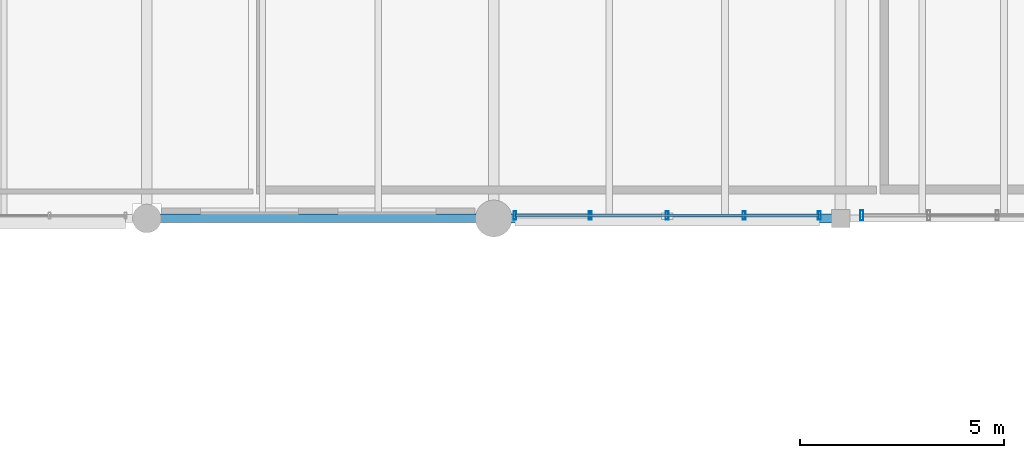
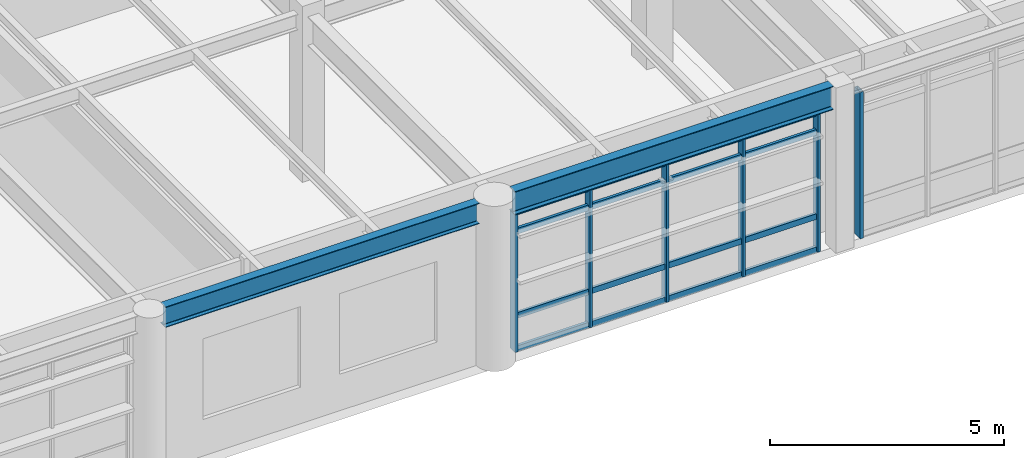
# One storey, part 113 of 168: 10 members, 2 beams, 2 elements without a shape of their own.
"""IFC4 building model written with IfcOpenShell, lengths in metres."""

from ifc_helpers import new_model, si_unit, direction, frame, origin, origin_2d, place, context, subcontext, project, spatial, hollow_rectangle, i_section, extrude, material, material_profile, profile_set, type_object, element, aggregate, save


model = new_model("IFC4")

# Units and contexts
model_context = context("Model", 3, precision=1e-05, world=origin(), true_north=direction((0.0, 1.0)))
body_context = subcontext(model_context, "Body", "Model", "MODEL_VIEW")
ifc_project = project(units=[si_unit("LENGTHUNIT", "METRE"), si_unit("AREAUNIT", "SQUARE_METRE"), si_unit("VOLUMEUNIT", "CUBIC_METRE"), si_unit("PLANEANGLEUNIT", "RADIAN"), si_unit("MASSUNIT", "GRAM", prefix="KILO"), si_unit("THERMODYNAMICTEMPERATUREUNIT", "KELVIN"), si_unit("POWERUNIT", "WATT")], contexts=[model_context])

# Site, building, storey
site_placement = place(None, origin())
site = spatial("IfcSite", under=ifc_project, at=site_placement, CompositionType="ELEMENT")
building_placement = place(site_placement, origin())
building = spatial("IfcBuilding", under=site, at=building_placement, Name="Tepalcoro Natatorium and Aquatics Centre", CompositionType="ELEMENT")
storey_placement = place(building_placement, frame((0.0, 0.0, 10.199951171875)))
storey = spatial("IfcBuildingStorey", under=building, at=storey_placement, Name="L02", CompositionType="ELEMENT", Elevation=10.199951171875)

# Curtain wall, members
ifc_material_1 = material(Name="Bronze-Anodised Extruded Aluminium Alloy EN AW-6063 T6", Category="aluminium")
curtain_wall_type_1 = type_object("IfcCurtainWallType", Name="CW_LEAN_T1_EW", PredefinedType="USERDEFINED", material=ifc_material_1)
curtain_wall_1_placement = place(storey_placement, origin())
curtain_wall_1 = element("IfcCurtainWall", 1, at=curtain_wall_1_placement, inside=storey, type_object=curtain_wall_type_1, Name="V5 L02 S Unitised Curtain Wall Bay 7", ObjectType="FACETED SOLAR GLAZING", PredefinedType="USERDEFINED")
ifc_material_profile_1 = material_profile(ifc_material_1, hollow_rectangle(XDim=0.070068359375, YDim=0.199951171875, WallThickness=0.0048828125, at=origin_2d()), Name="AL70X200X5")
ifc_profile_set_1 = profile_set([ifc_material_profile_1], Name="Bronze-Anodised Extruded Aluminium Alloy EN AW-6063 T6")
member_type_1 = type_object("IfcMemberType", Name="CW_MUL_70x200", PredefinedType="MULLION", material=ifc_profile_set_1)
member_1_placement = place(storey_placement, frame((151.02001953125, 86.0712890625, 0.02001953125), z_axis=(0.0, 0.0, 1.0), x_axis=(1.0, 0.0, 0.0)))
member_1 = element("IfcMember", 2, at=member_1_placement, type_object=member_type_1, Name="CW_LEAN_T1_EW Curtain Wall Mullion", PredefinedType="MULLION", context=body_context, shape_type="SweptSolid", body=[
    extrude(hollow_rectangle(XDim=0.070068359375, YDim=0.199951171875, WallThickness=0.0048828125, at=origin_2d()), origin(), (0.0, 0.0, 1.0), 3.617919921875),
])
member_2_placement = place(storey_placement, frame((152.864990234375, 86.0712890625, 0.02001953125), z_axis=(0.0, 0.0, 1.0), x_axis=(1.0, 0.0, 0.0)))
member_2 = element("IfcMember", 3, at=member_2_placement, type_object=member_type_1, Name="CW_LEAN_T1_EW Curtain Wall Mullion", PredefinedType="MULLION", context=body_context, shape_type="SweptSolid", body=[
    extrude(hollow_rectangle(XDim=0.070068359375, YDim=0.199951171875, WallThickness=0.0048828125, at=origin_2d()), origin(), (0.0, 0.0, 1.0), 3.617919921875),
])
member_3_placement = place(storey_placement, frame((154.75, 86.0712890625, 0.02001953125), z_axis=(0.0, 0.0, 1.0), x_axis=(1.0, 0.0, 0.0)))
member_3 = element("IfcMember", 4, at=member_3_placement, type_object=member_type_1, Name="CW_LEAN_T1_EW Curtain Wall Mullion", PredefinedType="MULLION", context=body_context, shape_type="SweptSolid", body=[
    extrude(hollow_rectangle(XDim=0.070068359375, YDim=0.199951171875, WallThickness=0.0048828125, at=origin_2d()), origin(), (0.0, 0.0, 1.0), 3.617919921875),
])
member_4_placement = place(storey_placement, frame((156.635009765625, 86.0712890625, 0.02001953125), z_axis=(0.0, 0.0, 1.0), x_axis=(1.0, 0.0, 0.0)))
member_4 = element("IfcMember", 5, at=member_4_placement, type_object=member_type_1, Name="CW_LEAN_T1_EW Curtain Wall Mullion", PredefinedType="MULLION", context=body_context, shape_type="SweptSolid", body=[
    extrude(hollow_rectangle(XDim=0.070068359375, YDim=0.199951171875, WallThickness=0.0048828125, at=origin_2d()), origin(), (0.0, 0.0, 1.0), 3.617919921875),
])
member_5_placement = place(storey_placement, frame((158.47998046875, 86.0712890625, 0.02001953125), z_axis=(0.0, 0.0, 1.0), x_axis=(1.0, 0.0, 0.0)))
member_5 = element("IfcMember", 6, at=member_5_placement, type_object=member_type_1, Name="CW_LEAN_T1_EW Curtain Wall Mullion", PredefinedType="MULLION", context=body_context, shape_type="SweptSolid", body=[
    extrude(hollow_rectangle(XDim=0.070068359375, YDim=0.199951171875, WallThickness=0.0048828125, at=origin_2d()), origin(), (0.0, 0.0, 1.0), 3.617919921875),
])

# Curtain wall, member
curtain_wall_type_2 = type_object("IfcCurtainWallType", Name="CW_LEAN_T2_NS", PredefinedType="USERDEFINED", material=ifc_material_1)
curtain_wall_2_placement = place(storey_placement, origin())
curtain_wall_2 = element("IfcCurtainWall", 7, at=curtain_wall_2_placement, inside=storey, type_object=curtain_wall_type_2, Name="V5 L02 S Unitised Curtain Wall Bay 8", ObjectType="FACETED SOLAR GLAZING", PredefinedType="USERDEFINED")
ifc_material_profile_2 = material_profile(ifc_material_1, hollow_rectangle(XDim=0.080078125, YDim=0.239990234375, WallThickness=0.0048828125, at=origin_2d()), Name="AL80X240X5")
ifc_profile_set_2 = profile_set([ifc_material_profile_2], Name="Bronze-Anodised Extruded Aluminium Alloy EN AW-6063 T6")
member_type_2 = type_object("IfcMemberType", Name="CW_MUL_80x240", PredefinedType="MULLION", material=ifc_profile_set_2)
member_6_placement = place(storey_placement, frame((159.52001953125, 86.076171875, 0.02001953125), z_axis=(0.0, 0.0, 1.0), x_axis=(1.0, 0.0, 0.0)))
member_6 = element("IfcMember", 8, at=member_6_placement, type_object=member_type_2, Name="CW_LEAN_T2_NS Curtain Wall Mullion", PredefinedType="MULLION", context=body_context, shape_type="SweptSolid", body=[
    extrude(hollow_rectangle(XDim=0.080078125, YDim=0.239990234375, WallThickness=0.0048828125, at=origin_2d()), origin(), (0.0, 0.0, 1.0), 3.817138671875),
])
aggregate(curtain_wall_2, [member_6])

# Member
ifc_material_profile_3 = material_profile(ifc_material_1, hollow_rectangle(XDim=0.070068359375, YDim=0.14990234375, WallThickness=0.00390625, at=origin_2d()), Name="AL70X150X4")
ifc_profile_set_3 = profile_set([ifc_material_profile_3], Name="Bronze-Anodised Extruded Aluminium Alloy EN AW-6063 T6")
member_type_3 = type_object("IfcMemberType", Name="CW_TRN_70x150", PredefinedType="USERDEFINED", material=ifc_profile_set_3)
member_7_placement = place(storey_placement, frame((151.030029296875, 86.0712890625, 0.050048828125), z_axis=(1.0, 0.0, 0.0), x_axis=(0.0, 1.0, 0.0)))
member_7 = element("IfcMember", 9, at=member_7_placement, type_object=member_type_3, Name="CW_LEAN_T1_EW Curtain Wall Transom", ObjectType="TRANSOM", PredefinedType="USERDEFINED", context=body_context, shape_type="SweptSolid", body=[
    extrude(hollow_rectangle(XDim=0.070068359375, YDim=0.14990234375, WallThickness=0.00390625, at=origin_2d()), origin(), (0.0, 0.0, 1.0), 7.43994140625),
])

member_8_placement = place(storey_placement, frame((151.030029296875, 86.0712890625, 0.91455078125), z_axis=(1.0, 0.0, 0.0), x_axis=(0.0, 1.0, 0.0)))
member_8 = element("IfcMember", 10, at=member_8_placement, type_object=member_type_3, Name="CW_LEAN_T1_EW Curtain Wall Transom", ObjectType="TRANSOM", PredefinedType="USERDEFINED", context=body_context, shape_type="SweptSolid", body=[
    extrude(hollow_rectangle(XDim=0.070068359375, YDim=0.14990234375, WallThickness=0.00390625, at=origin_2d()), origin(), (0.0, 0.0, 1.0), 7.43994140625),
])

member_9_placement = place(storey_placement, frame((151.030029296875, 86.0712890625, 3.108154296875), z_axis=(1.0, 0.0, 0.0), x_axis=(0.0, 1.0, 0.0)))
member_9 = element("IfcMember", 11, at=member_9_placement, type_object=member_type_3, Name="CW_LEAN_T1_EW Curtain Wall Transom", ObjectType="TRANSOM", PredefinedType="USERDEFINED", context=body_context, shape_type="SweptSolid", body=[
    extrude(hollow_rectangle(XDim=0.070068359375, YDim=0.14990234375, WallThickness=0.00390625, at=origin_2d()), origin(), (0.0, 0.0, 1.0), 7.43994140625),
])

member_10_placement = place(storey_placement, frame((151.030029296875, 86.0712890625, 3.608154296875), z_axis=(1.0, 0.0, 0.0), x_axis=(0.0, 1.0, 0.0)))
member_10 = element("IfcMember", 12, at=member_10_placement, type_object=member_type_3, Name="CW_LEAN_T1_EW Curtain Wall Transom", ObjectType="TRANSOM", PredefinedType="USERDEFINED", context=body_context, shape_type="SweptSolid", body=[
    extrude(hollow_rectangle(XDim=0.070068359375, YDim=0.14990234375, WallThickness=0.00390625, at=origin_2d()), origin(), (0.0, 0.0, 1.0), 7.43994140625),
])

aggregate(curtain_wall_1, [member_1, member_2, member_3, member_4, member_5, member_7, member_8, member_9, member_10])

# Beams
ifc_material_2 = material(Name="Steel ASTM A992 Grade 50 (Fy 345 MPa)", Category="steel")
ifc_material_profile_4 = material_profile(ifc_material_2, i_section(OverallWidth=0.2099609375, OverallDepth=0.535888671875, WebThickness=0.010986328125, FlangeThickness=0.01708984375, FilletRadius=0.013916015625, at=origin_2d()), Name="W21X68")
ifc_profile_set_4 = profile_set([ifc_material_profile_4], Name="Steel ASTM A992 Grade 50 (Fy 345 MPa)")
beam_type_1 = type_object("IfcBeamType", Name="SP_W21x68", PredefinedType="SPANDREL", material=ifc_profile_set_4)
beam_1_placement = place(storey_placement, frame((142.3349609375, 86.0, 4.01708984375), z_axis=(1.0, 0.0, 0.0), x_axis=(0.0, 1.0, 0.0)))
element("IfcBeam", 13, at=beam_1_placement, inside=storey, type_object=beam_type_1, Name="V5 L02 Grid Girder X", PredefinedType="SPANDREL", context=body_context, shape_type="SweptSolid", body=[
    extrude(i_section(OverallWidth=0.2099609375, OverallDepth=0.535888671875, WebThickness=0.010986328125, FlangeThickness=0.01708984375, FilletRadius=0.013916015625, at=origin_2d()), origin(), (0.0, 0.0, 1.0), 7.72998046875),
])
ifc_material_profile_5 = material_profile(ifc_material_2, i_section(OverallWidth=0.22900390625, OverallDepth=0.612060546875, WebThickness=0.011962890625, FlangeThickness=0.02001953125, FilletRadius=0.013916015625, at=origin_2d()), Name="W24X84")
ifc_profile_set_5 = profile_set([ifc_material_profile_5], Name="Steel ASTM A992 Grade 50 (Fy 345 MPa)")
beam_type_2 = type_object("IfcBeamType", Name="SP_W24x84", PredefinedType="SPANDREL", material=ifc_profile_set_5)
beam_2_placement = place(storey_placement, frame((150.93505859375, 86.0, 3.97900390625), z_axis=(1.0, 0.0, 0.0), x_axis=(0.0, 1.0, 0.0)))
element("IfcBeam", 14, at=beam_2_placement, inside=storey, type_object=beam_type_2, Name="V5 L02 Grid Girder X", PredefinedType="SPANDREL", context=body_context, shape_type="SweptSolid", body=[
    extrude(i_section(OverallWidth=0.22900390625, OverallDepth=0.612060546875, WebThickness=0.011962890625, FlangeThickness=0.02001953125, FilletRadius=0.013916015625, at=origin_2d()), origin(), (0.0, 0.0, 1.0), 7.85498046875),
])

save(model, "model.ifc")
